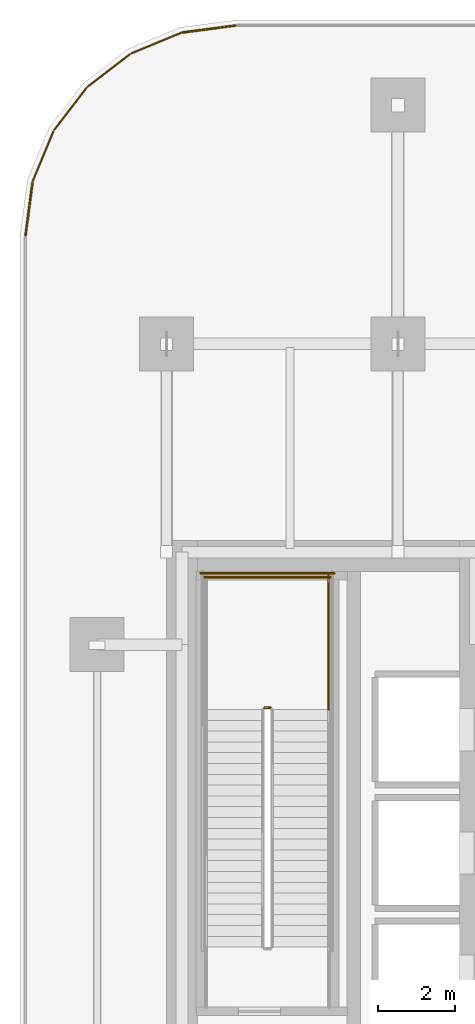
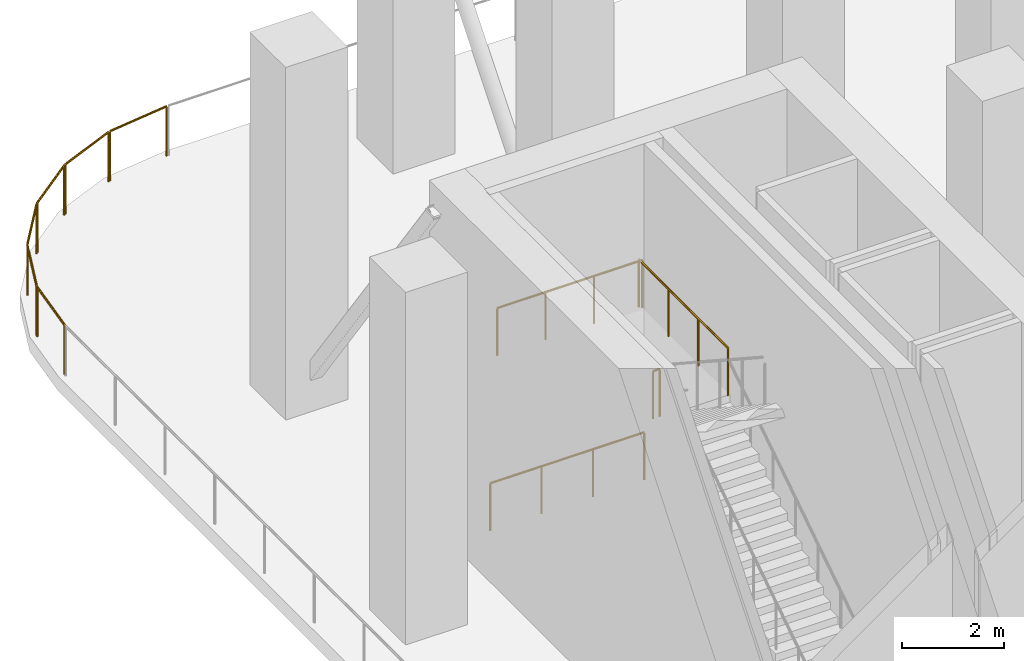
# One storey, part 12 of 13: 10 railings.
"""IFC4 building model written with IfcOpenShell, lengths in metres."""

from ifc_helpers import new_model, si_unit, direction, frame, origin, origin_2d, place, context, subcontext, project, spatial, circle, extrude, material, type_object, element, save


model = new_model("IFC4")

# Units and contexts
model_context = context("Model", 3, precision=1e-05, world=origin(), true_north=direction((0.0, 1.0)))
body_context = subcontext(model_context, "Body", "Model", "MODEL_VIEW")
ifc_project = project(units=[si_unit("LENGTHUNIT", "METRE"), si_unit("AREAUNIT", "SQUARE_METRE"), si_unit("VOLUMEUNIT", "CUBIC_METRE"), si_unit("PLANEANGLEUNIT", "RADIAN"), si_unit("MASSUNIT", "GRAM", prefix="KILO")], contexts=[model_context])

# Site, building, storey
site_placement = place(None, origin())
site = spatial("IfcSite", under=ifc_project, at=site_placement, CompositionType="ELEMENT")
building_placement = place(site_placement, origin())
building = spatial("IfcBuilding", under=site, at=building_placement, Name="Khairoan Windgate Tower", CompositionType="ELEMENT")
storey_placement = place(building_placement, frame((0.0, 0.0, 84.800048828125)))
storey = spatial("IfcBuildingStorey", under=building, at=storey_placement, Name="L20", CompositionType="ELEMENT", Elevation=84.800048828125)

# Railings
ifc_material_1 = material(Name="Anodised Bronze Aluminium 6063-T6", Category="aluminium")
railing_type_1 = type_object("IfcRailingType", Name="Aerodynamic Bronze-and-Glass Balustrade BAL-1200", PredefinedType="BALUSTRADE", material=ifc_material_1)
railing_1_placement = place(storey_placement, frame((-24.056640625, 21.41552734375, 0.0)))
element("IfcRailing", 1, at=railing_1_placement, inside=storey, type_object=railing_type_1, Name="L20 Wind-Slot Portal Perimeter Balustrade 09", PredefinedType="BALUSTRADE", context=body_context, shape_type="SweptSolid", body=[
    extrude(circle(Radius=0.02392578125, at=origin_2d()), frame((0.0, 0.0, 1.17578125), z_axis=(0.130326776743, 0.991471094518, 0.0), x_axis=(-0.991471094518, 0.130326776743, 0.0)), (0.0, 0.0, 1.0), 1.38427734375),
    extrude(circle(Radius=0.02099609375, at=origin_2d()), origin(), (0.0, 0.0, 1.0), 1.15185546875),
    extrude(circle(Radius=0.02099609375, at=origin_2d()), frame((0.180419921875, 1.37255859375, 0.0)), (0.0, 0.0, 1.0), 1.15185546875),
])
railing_2_placement = place(storey_placement, frame((-23.86328125, 22.8359375, 0.0)))
element("IfcRailing", 2, at=railing_2_placement, inside=storey, type_object=railing_type_1, Name="L20 Wind-Slot Portal Perimeter Balustrade 10", PredefinedType="BALUSTRADE", context=body_context, shape_type="SweptSolid", body=[
    extrude(circle(Radius=0.02392578125, at=origin_2d()), frame((0.0, 0.0, 1.17578125), z_axis=(0.382811769845, 0.923826362943, 0.0), x_axis=(-0.923826362943, 0.382811769845, 0.0)), (0.0, 0.0, 1.0), 1.375),
    extrude(circle(Radius=0.02099609375, at=origin_2d()), origin(), (0.0, 0.0, 1.0), 1.15185546875),
    extrude(circle(Radius=0.02099609375, at=origin_2d()), frame((0.5263671875, 1.270263671875, 0.0)), (0.0, 0.0, 1.0), 1.15185546875),
])
railing_3_placement = place(storey_placement, frame((-23.312255859375, 24.149169921875, 0.0)))
element("IfcRailing", 3, at=railing_3_placement, inside=storey, type_object=railing_type_1, Name="L20 Wind-Slot Portal Perimeter Balustrade 11", PredefinedType="BALUSTRADE", context=body_context, shape_type="SweptSolid", body=[
    extrude(circle(Radius=0.02392578125, at=origin_2d()), frame((0.0, 0.0, 1.17578125), z_axis=(0.608740834578, 0.793369142529, 0.0), x_axis=(-0.793369142529, 0.608740834578, 0.0)), (0.0, 0.0, 1.0), 1.375244140625),
    extrude(circle(Radius=0.02099609375, at=origin_2d()), origin(), (0.0, 0.0, 1.0), 1.15185546875),
    extrude(circle(Radius=0.02099609375, at=origin_2d()), frame((0.837158203125, 1.091064453125, 0.0)), (0.0, 0.0, 1.0), 1.15185546875),
])
railing_4_placement = place(storey_placement, frame((-22.440185546875, 25.275146484375, 0.0)))
element("IfcRailing", 4, at=railing_4_placement, inside=storey, type_object=railing_type_1, Name="L20 Wind-Slot Portal Perimeter Balustrade 12", PredefinedType="BALUSTRADE", context=body_context, shape_type="SweptSolid", body=[
    extrude(circle(Radius=0.02392578125, at=origin_2d()), frame((0.0, 0.0, 1.17578125), z_axis=(0.793369142529, 0.608740834578, 0.0), x_axis=(-0.608740834578, 0.793369142529, 0.0)), (0.0, 0.0, 1.0), 1.375244140625),
    extrude(circle(Radius=0.02099609375, at=origin_2d()), origin(), (0.0, 0.0, 1.0), 1.15185546875),
    extrude(circle(Radius=0.02099609375, at=origin_2d()), frame((1.091064453125, 0.837158203125, 0.0)), (0.0, 0.0, 1.0), 1.15185546875),
])
railing_5_placement = place(storey_placement, frame((-21.306396484375, 26.136962890625, 0.0)))
element("IfcRailing", 5, at=railing_5_placement, inside=storey, type_object=railing_type_1, Name="L20 Wind-Slot Portal Perimeter Balustrade 13", PredefinedType="BALUSTRADE", context=body_context, shape_type="SweptSolid", body=[
    extrude(circle(Radius=0.02392578125, at=origin_2d()), frame((0.0, 0.0, 1.17578125), z_axis=(0.923915142674, 0.382597450512, 0.0), x_axis=(-0.382597450512, 0.923915142674, 0.0)), (0.0, 0.0, 1.0), 1.375244140625),
    extrude(circle(Radius=0.02099609375, at=origin_2d()), origin(), (0.0, 0.0, 1.0), 1.15185546875),
    extrude(circle(Radius=0.02099609375, at=origin_2d()), frame((1.2705078125, 0.526123046875, 0.0)), (0.0, 0.0, 1.0), 1.15185546875),
])
railing_6_placement = place(storey_placement, frame((-19.988037109375, 26.676025390625, 0.0)))
element("IfcRailing", 6, at=railing_6_placement, inside=storey, type_object=railing_type_1, Name="L20 Wind-Slot Portal Perimeter Balustrade 14", PredefinedType="BALUSTRADE", context=body_context, shape_type="SweptSolid", body=[
    extrude(circle(Radius=0.02392578125, at=origin_2d()), frame((0.0, 0.0, 1.17578125), z_axis=(0.991448292058, 0.130500130936, 0.0), x_axis=(-0.130500130936, 0.991448292058, 0.0)), (0.0, 0.0, 1.0), 1.38427734375),
    extrude(circle(Radius=0.02099609375, at=origin_2d()), origin(), (0.0, 0.0, 1.0), 1.15185546875),
    extrude(circle(Radius=0.02099609375, at=origin_2d()), frame((1.37255859375, 0.1806640625, 0.0)), (0.0, 0.0, 1.0), 1.15185546875),
])
ifc_material_2 = material(Name="Steel S355", Category="steel")
railing_type_2 = type_object("IfcRailingType", Name="Stairwell Safety Guardrail SGR-1150", PredefinedType="GUARDRAIL", material=ifc_material_2)
railing_7_placement = place(storey_placement, frame((-17.7099609375, 9.169921875, 4.199951171875)))
element("IfcRailing", 7, at=railing_7_placement, inside=storey, type_object=railing_type_2, Name="L20 ST2 stair guard 2", PredefinedType="GUARDRAIL", context=body_context, shape_type="SweptSolid", body=[
    extrude(circle(Radius=0.02392578125, at=origin_2d()), frame((0.0, 0.0, 1.1259765625), z_axis=(-1.0, 0.0, 0.0), x_axis=(0.0, -1.0, 0.0)), (0.0, 0.0, 1.0), 0.150146484375),
    extrude(circle(Radius=0.02099609375, at=origin_2d()), origin(), (0.0, 0.0, 1.0), 1.101806640625),
    extrude(circle(Radius=0.02099609375, at=origin_2d()), frame((-0.150146484375, 0.0, 0.0)), (0.0, 0.0, 1.0), 1.101806640625),
])
railing_8_placement = place(storey_placement, frame((-16.199951171875, 9.1201171875, 4.199951171875)))
element("IfcRailing", 8, at=railing_8_placement, inside=storey, type_object=railing_type_2, Name="L20 ST2 stair guard 3", PredefinedType="GUARDRAIL", context=body_context, shape_type="SweptSolid", body=[
    extrude(circle(Radius=0.02392578125, at=origin_2d()), frame((0.0, 0.0, 1.1259765625), z_axis=(0.0, 1.0, 0.0), x_axis=(-1.0, 0.0, 0.0)), (0.0, 0.0, 1.0), 3.47998046875),
    extrude(circle(Radius=0.02099609375, at=origin_2d()), origin(), (0.0, 0.0, 1.0), 1.101806640625),
    extrude(circle(Radius=0.02099609375, at=origin_2d()), frame((0.0, 1.159912109375, 0.0)), (0.0, 0.0, 1.0), 1.101806640625),
    extrude(circle(Radius=0.02099609375, at=origin_2d()), frame((0.0, 2.320068359375, 0.0)), (0.0, 0.0, 1.0), 1.101806640625),
    extrude(circle(Radius=0.02099609375, at=origin_2d()), frame((0.0, 3.47998046875, 0.0)), (0.0, 0.0, 1.0), 1.101806640625),
])
railing_9_placement = place(storey_placement, frame((-16.14990234375, 12.550048828125, 4.199951171875)))
element("IfcRailing", 9, at=railing_9_placement, inside=storey, type_object=railing_type_2, Name="L20 ST2 stair guard 5", PredefinedType="GUARDRAIL", context=body_context, shape_type="SweptSolid", body=[
    extrude(circle(Radius=0.02392578125, at=origin_2d()), frame((0.0, 0.0, 1.1259765625), z_axis=(-1.0, 0.0, 0.0), x_axis=(0.0, -1.0, 0.0)), (0.0, 0.0, 1.0), 3.27001953125),
    extrude(circle(Radius=0.02099609375, at=origin_2d()), origin(), (0.0, 0.0, 1.0), 1.101806640625),
    extrude(circle(Radius=0.02099609375, at=origin_2d()), frame((-1.090087890625, 0.0, 0.0)), (0.0, 0.0, 1.0), 1.101806640625),
    extrude(circle(Radius=0.02099609375, at=origin_2d()), frame((-2.179931640625, 0.0, 0.0)), (0.0, 0.0, 1.0), 1.101806640625),
    extrude(circle(Radius=0.02099609375, at=origin_2d()), frame((-3.27001953125, 0.0, 0.0)), (0.0, 0.0, 1.0), 1.101806640625),
])
railing_10_placement = place(storey_placement, frame((-16.050048828125, 12.64990234375, 0.0)))
element("IfcRailing", 10, at=railing_10_placement, inside=storey, type_object=railing_type_2, Name="L20 ST2 stair guard 12", PredefinedType="GUARDRAIL", context=body_context, shape_type="SweptSolid", body=[
    extrude(circle(Radius=0.02392578125, at=origin_2d()), frame((0.0, 0.0, 1.1259765625), z_axis=(-1.0, 0.0, 0.0), x_axis=(0.0, -1.0, 0.0)), (0.0, 0.0, 1.0), 3.469970703125),
    extrude(circle(Radius=0.02099609375, at=origin_2d()), origin(), (0.0, 0.0, 1.0), 1.101806640625),
    extrude(circle(Radius=0.02099609375, at=origin_2d()), frame((-1.15673828125, 0.0, 0.0)), (0.0, 0.0, 1.0), 1.101806640625),
    extrude(circle(Radius=0.02099609375, at=origin_2d()), frame((-2.313232421875, 0.0, 0.0)), (0.0, 0.0, 1.0), 1.101806640625),
    extrude(circle(Radius=0.02099609375, at=origin_2d()), frame((-3.469970703125, 0.0, 0.0)), (0.0, 0.0, 1.0), 1.101806640625),
])

save(model, "model.ifc")
